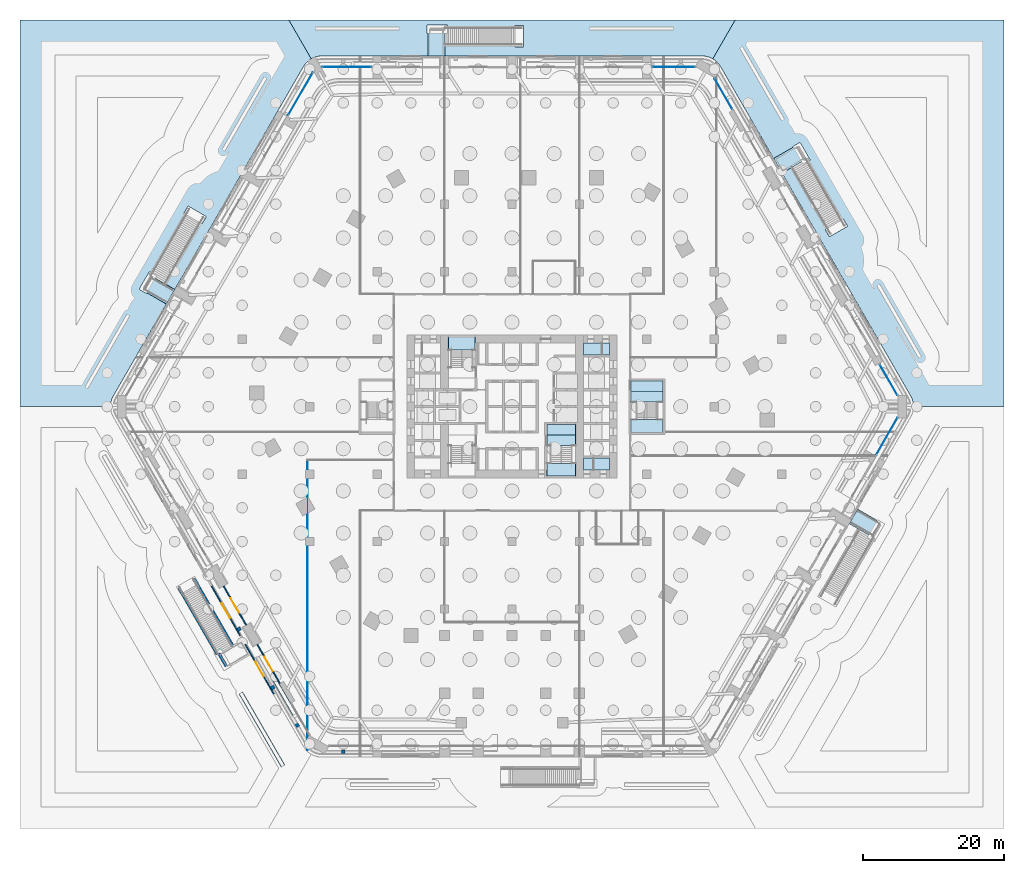
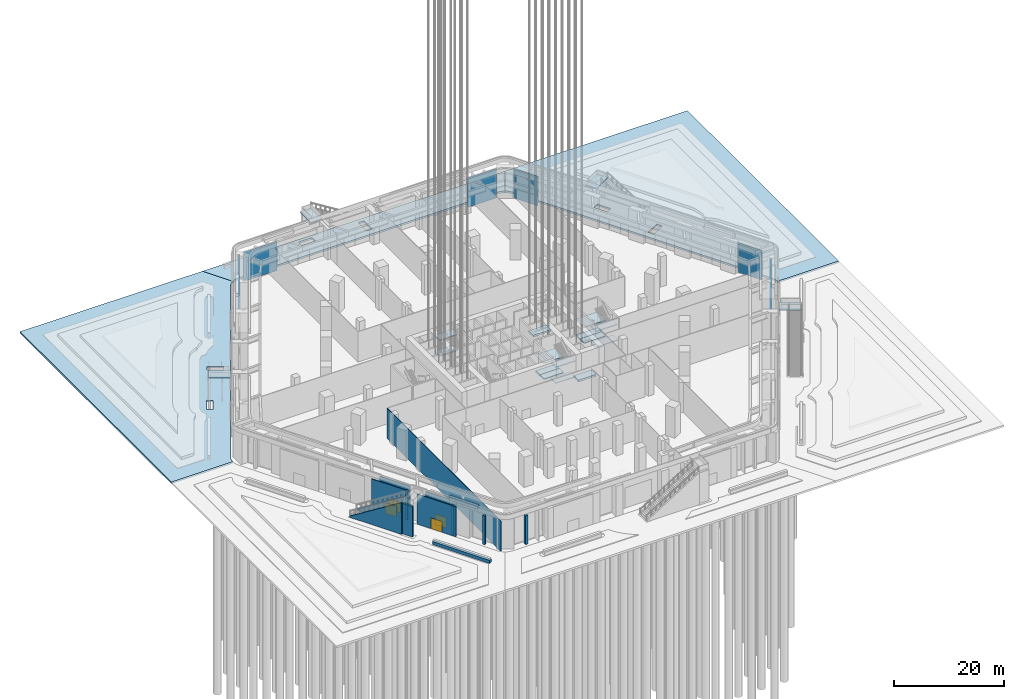
# One storey, part 12 of 68: 21 slabs, 14 walls, 6 plates, 4 doors, 4 openings, 13 elements without a shape of their own.
"""IFC4 building model written with IfcOpenShell, lengths in metres."""

from ifc_helpers import new_model, si_unit, direction, frame, frame_2d, origin, origin_2d, place, context, subcontext, project, spatial, polyline, rectangle, outline, extrude, material, layer, layer_set, type_object, element, fill, aggregate, save


model = new_model("IFC4")

# Units and contexts
model_context = context("Model", 3, precision=1e-05, world=origin(), true_north=direction((0.0, 1.0)))
body_context = subcontext(model_context, "Body", "Model", "MODEL_VIEW")
ifc_project = project(units=[si_unit("LENGTHUNIT", "METRE"), si_unit("AREAUNIT", "SQUARE_METRE"), si_unit("VOLUMEUNIT", "CUBIC_METRE"), si_unit("PLANEANGLEUNIT", "RADIAN"), si_unit("MASSUNIT", "GRAM", prefix="KILO")], contexts=[model_context])

# Site, building, storey
site_placement = place(None, origin())
site = spatial("IfcSite", under=ifc_project, at=site_placement, CompositionType="ELEMENT")
building_placement = place(site_placement, origin())
building = spatial("IfcBuilding", under=site, at=building_placement, Name="Kolab Exchange Tower", CompositionType="ELEMENT")
storey_placement = place(building_placement, origin())
storey = spatial("IfcBuildingStorey", under=building, at=storey_placement, Name="L00", CompositionType="ELEMENT", Elevation=0.0)

# Stair, slab
ifc_material_1 = material(Name="Concrete C40/50", Category="concrete")
stair_type_1 = type_object("IfcStairType", Name="GARDEN STAIR RUN C", PredefinedType="STRAIGHT_RUN_STAIR", material=ifc_material_1)
stair_1_placement = place(storey_placement, origin())
stair_1 = element("IfcStair", 1, at=stair_1_placement, inside=storey, type_object=stair_type_1, Name="Garden stair GS1 run C", PredefinedType="STRAIGHT_RUN_STAIR")
ifc_layer_1 = layer(ifc_material_1, 0.199951171875)
ifc_layer_set_1 = layer_set([ifc_layer_1], Name="Concrete C40/50")
slab_type_1 = type_object("IfcSlabType", Name="GARDEN STAIR LANDING 200", PredefinedType="LANDING", material=ifc_layer_set_1)
slab_1_placement = place(storey_placement, frame((0.0, 0.0, 6.800048828125)))
slab_1 = element("IfcSlab", 2, at=slab_1_placement, type_object=slab_type_1, Name="GS1 landing 1", PredefinedType="LANDING", context=body_context, shape_type="SweptSolid", body=[
    extrude(outline(polyline([(-11.9599609375, 49.883056640625), (-9.554931640625, 49.883056640625), (-9.554931640625, 53.883056640625), (-11.9599609375, 53.883056640625), (-11.9599609375, 49.883056640625)])), origin(), (0.0, 0.0, 1.0), 0.199951171875),
])
aggregate(stair_1, [slab_1])

stair_2_placement = place(storey_placement, origin())
stair_2 = element("IfcStair", 3, at=stair_2_placement, inside=storey, type_object=stair_type_1, Name="Garden stair GS2 run C", PredefinedType="STRAIGHT_RUN_STAIR")
slab_2_placement = place(storey_placement, frame((0.0, 0.0, 6.800048828125)))
slab_2 = element("IfcSlab", 4, at=slab_2_placement, type_object=slab_type_1, Name="GS2 landing 1", PredefinedType="LANDING", context=body_context, shape_type="SweptSolid", body=[
    extrude(outline(polyline([(37.219970703125, 35.29931640625), (38.422607421875, 33.21630859375), (41.88671875, 35.21630859375), (40.68408203125, 37.29931640625), (37.219970703125, 35.29931640625)])), origin(), (0.0, 0.0, 1.0), 0.199951171875),
])
aggregate(stair_2, [slab_2])

stair_3_placement = place(storey_placement, origin())
stair_3 = element("IfcStair", 5, at=stair_3_placement, inside=storey, type_object=stair_type_1, Name="Garden stair GS3 run C", PredefinedType="STRAIGHT_RUN_STAIR")
slab_3_placement = place(storey_placement, frame((0.0, 0.0, 6.800048828125)))
slab_3 = element("IfcSlab", 6, at=slab_3_placement, type_object=slab_type_1, Name="GS3 landing 1", PredefinedType="LANDING", context=body_context, shape_type="SweptSolid", body=[
    extrude(outline(polyline([(49.179931640625, -14.583984375), (47.9775390625, -16.666748046875), (51.441650390625, -18.666748046875), (52.64404296875, -16.583984375), (49.179931640625, -14.583984375)])), origin(), (0.0, 0.0, 1.0), 0.199951171875),
])
aggregate(stair_3, [slab_3])

stair_4_placement = place(storey_placement, origin())
stair_4 = element("IfcStair", 7, at=stair_4_placement, inside=storey, type_object=stair_type_1, Name="Garden stair GS6 run C", PredefinedType="STRAIGHT_RUN_STAIR")
slab_4_placement = place(storey_placement, frame((0.0, 0.0, 6.800048828125)))
slab_4 = element("IfcSlab", 8, at=slab_4_placement, type_object=slab_type_1, Name="GS6 landing 1", PredefinedType="LANDING", context=body_context, shape_type="SweptSolid", body=[
    extrude(outline(polyline([(-49.179931640625, 14.583984375), (-47.9775390625, 16.666748046875), (-51.441650390625, 18.666748046875), (-52.64404296875, 16.583984375), (-49.179931640625, 14.583984375)])), origin(), (0.0, 0.0, 1.0), 0.199951171875),
])
aggregate(stair_4, [slab_4])

# Slabs
ifc_material_2 = material(Name="Concrete C35/45", Category="concrete")
ifc_layer_2 = layer(ifc_material_2, 0.39990234375)
ifc_layer_set_2 = layer_set([ifc_layer_2], Name="Concrete C35/45")
slab_type_2 = type_object("IfcSlabType", Name="GROUND SLAB 400", PredefinedType="BASESLAB", material=ifc_layer_set_2)
slab_5_placement = place(storey_placement, frame((0.0, 0.0, -0.39990234375)))
element("IfcSlab", 9, at=slab_5_placement, inside=storey, type_object=slab_type_2, Name="slab/L00/floor/9", PredefinedType="BASESLAB", context=body_context, shape_type="SweptSolid", body=[
    extrude(outline(polyline([(21.449951171875, 3.64990234375), (16.949951171875, 3.64990234375), (16.949951171875, 2.14990234375), (21.449951171875, 2.14990234375), (21.449951171875, 3.64990234375)])), origin(), (0.0, 0.0, 1.0), 0.39990234375),
])
slab_6_placement = place(storey_placement, frame((0.0, 0.0, -0.39990234375)))
element("IfcSlab", 10, at=slab_6_placement, inside=storey, type_object=slab_type_2, Name="slab/L00/floor/12", PredefinedType="BASESLAB", context=body_context, shape_type="SweptSolid", body=[
    extrude(outline(polyline([(10.14990234375, -7.35009765625), (10.14990234375, -9.050048828125), (13.85009765625, -9.050048828125), (13.85009765625, -7.35009765625), (10.14990234375, -7.35009765625)])), origin(), (0.0, 0.0, 1.0), 0.39990234375),
])
slab_7_placement = place(storey_placement, frame((0.0, 0.0, -0.39990234375)))
element("IfcSlab", 11, at=slab_7_placement, inside=storey, type_object=slab_type_2, Name="slab/L00/floor/13", PredefinedType="BASESLAB", context=body_context, shape_type="SweptSolid", body=[
    extrude(outline(polyline([(10.14990234375, 7.35009765625), (13.85009765625, 7.35009765625), (13.85009765625, 9.050048828125), (10.14990234375, 9.050048828125), (10.14990234375, 7.35009765625)])), origin(), (0.0, 0.0, 1.0), 0.39990234375),
])
slab_8_placement = place(storey_placement, frame((0.0, 0.0, -0.39990234375)))
element("IfcSlab", 12, at=slab_8_placement, inside=storey, type_object=slab_type_2, Name="slab/L00/floor/14", PredefinedType="BASESLAB", context=body_context, shape_type="SweptSolid", body=[
    extrude(outline(polyline([(9.050048828125, -2.550048828125), (6.14990234375, -2.550048828125), (5.85009765625, -2.550048828125), (4.949951171875, -2.550048828125), (4.949951171875, -4.050048828125), (9.050048828125, -4.050048828125), (9.050048828125, -2.550048828125)])), origin(), (0.0, 0.0, 1.0), 0.39990234375),
])
ifc_material_3 = material(Name="Concrete C30/37", Category="concrete")
ifc_layer_3 = layer(ifc_material_3, 0.39990234375)
ifc_layer_set_3 = layer_set([ifc_layer_3], Name="Concrete C30/37")
slab_type_3 = type_object("IfcSlabType", Name="PAVING SLAB 400", PredefinedType="USERDEFINED", material=ifc_layer_set_3)
slab_9_placement = place(storey_placement, frame((0.0, 0.0, -0.39990234375)))
element("IfcSlab", 13, at=slab_9_placement, inside=storey, type_object=slab_type_3, Name="slab/L00/paving/0", ObjectType="PAVING", PredefinedType="USERDEFINED", context=body_context, shape_type="SweptSolid", body=[
    extrude(outline(polyline([(70.0, 55.0), (31.754150390625, 55.0), (28.56787109375, 49.481201171875), (28.996337890625, 49.18115234375), (29.365966796875, 48.8115234375), (29.666015625, 48.383056640625), (56.73388671875, 1.5), (56.955078125, 1.026123046875), (57.09033203125, 0.52099609375), (57.135986328125, 0.0), (70.0, 0.0), (70.0, 55.0)]), holes=[polyline([(47.75390625, 25.65380859375), (45.15576171875, 24.15380859375), (44.555908203125, 25.193115234375), (47.15380859375, 26.693115234375), (47.75390625, 25.65380859375)]), polyline([(40.98046875, 37.585693359375), (42.430419921875, 35.07421875), (41.391357421875, 34.474365234375), (39.941162109375, 36.98583984375), (40.98046875, 37.585693359375)])]), origin(), (0.0, 0.0, 1.0), 0.39990234375),
])
slab_10_placement = place(storey_placement, frame((0.0, 0.0, -0.39990234375)))
element("IfcSlab", 14, at=slab_10_placement, inside=storey, type_object=slab_type_3, Name="slab/L00/paving/1", ObjectType="PAVING", PredefinedType="USERDEFINED", context=body_context, shape_type="SweptSolid", body=[
    extrude(outline(polyline([(31.754150390625, 55.0), (-31.754150390625, 55.0), (-28.56787109375, 49.481201171875), (-28.093994140625, 49.7021484375), (-27.5888671875, 49.83740234375), (-27.06787109375, 49.883056640625), (27.06787109375, 49.883056640625), (27.5888671875, 49.83740234375), (28.093994140625, 49.7021484375), (28.56787109375, 49.481201171875), (31.754150390625, 55.0)]), holes=[polyline([(-12.06005859375, 54.282958984375), (-9.159912109375, 54.282958984375), (-9.159912109375, 53.0830078125), (-12.06005859375, 53.0830078125), (-12.06005859375, 54.282958984375)]), polyline([(1.659912109375, 51.18310546875), (0.4599609375, 51.18310546875), (0.4599609375, 54.18310546875), (1.659912109375, 54.18310546875), (1.659912109375, 51.18310546875)])]), origin(), (0.0, 0.0, 1.0), 0.39990234375),
])
slab_11_placement = place(storey_placement, frame((0.0, 0.0, -0.39990234375)))
element("IfcSlab", 15, at=slab_11_placement, inside=storey, type_object=slab_type_3, Name="slab/L00/paving/2", ObjectType="PAVING", PredefinedType="USERDEFINED", context=body_context, shape_type="SweptSolid", body=[
    extrude(outline(polyline([(-70.0, 55.0), (-70.0, 0.0), (-57.135986328125, 0.0), (-57.09033203125, 0.52099609375), (-56.955078125, 1.026123046875), (-56.73388671875, 1.5), (-29.666015625, 48.383056640625), (-29.365966796875, 48.8115234375), (-28.996337890625, 49.18115234375), (-28.56787109375, 49.481201171875), (-31.754150390625, 55.0), (-70.0, 55.0)]), holes=[polyline([(-52.001220703125, 16.09716796875), (-53.04052734375, 16.697265625), (-51.590576171875, 19.208740234375), (-50.55126953125, 18.608642578125), (-52.001220703125, 16.09716796875)]), polyline([(-43.495849609375, 27.029052734375), (-44.095947265625, 25.989990234375), (-46.69384765625, 27.489990234375), (-46.093994140625, 28.529052734375), (-43.495849609375, 27.029052734375)])]), origin(), (0.0, 0.0, 1.0), 0.39990234375),
])

# Curtain wall, plate
ifc_material_4 = material(Name="Aluminium EN AW-6063 T6", Category="aluminium")
curtain_wall_type = type_object("IfcCurtainWallType", Name="PODIUM STRUCTURAL GLAZING CURTAIN WALL", PredefinedType="NOTDEFINED", material=ifc_material_4)
curtain_wall_1_placement = place(storey_placement, origin())
curtain_wall_1 = element("IfcCurtainWall", 16, at=curtain_wall_1_placement, inside=storey, type_object=curtain_wall_type, Name="cw/L00/F1-1", PredefinedType="NOTDEFINED")
ifc_material_5 = material(Name="Clear insulated glazing unit", Category="glass")
ifc_layer_4 = layer(ifc_material_5, 0.035888671875)
ifc_layer_set_4 = layer_set([ifc_layer_4], Name="Clear insulated glazing unit")
plate_type = type_object("IfcPlateType", Name="PODIUM STRUCTURAL GLAZING GLASS PANEL 36", PredefinedType="CURTAIN_PANEL", material=ifc_layer_set_4)
plate_1_placement = place(storey_placement, frame((-23.489013671875, 48.302978515625, 0.080078125), z_axis=(0.0, 0.0, 1.0), x_axis=(1.0, 0.0, 0.0)))
plate_1 = element("IfcPlate", 17, at=plate_1_placement, type_object=plate_type, Name="CW5 panel 1.1", PredefinedType="CURTAIN_PANEL", context=body_context, shape_type="SweptSolid", body=[
    extrude(rectangle(XDim=6.998046875, YDim=0.035888671875, at=origin_2d()), origin(), (0.0, 0.0, 1.0), 6.5400390625),
])
aggregate(curtain_wall_1, [plate_1])

curtain_wall_2_placement = place(storey_placement, origin())
curtain_wall_2 = element("IfcCurtainWall", 18, at=curtain_wall_2_placement, inside=storey, type_object=curtain_wall_type, Name="cw/L00/F1-2", PredefinedType="NOTDEFINED")
plate_2_placement = place(storey_placement, frame((23.004150390625, 48.302978515625, 0.080078125), z_axis=(0.0, 0.0, 1.0), x_axis=(1.0, 0.0, 0.0)))
plate_2 = element("IfcPlate", 19, at=plate_2_placement, type_object=plate_type, Name="CW5 panel 1.1", PredefinedType="CURTAIN_PANEL", context=body_context, shape_type="SweptSolid", body=[
    extrude(rectangle(XDim=6.0283203125, YDim=0.035888671875, at=origin_2d()), origin(), (0.0, 0.0, 1.0), 6.5400390625),
])
aggregate(curtain_wall_2, [plate_2])

curtain_wall_3_placement = place(storey_placement, origin())
curtain_wall_3 = element("IfcCurtainWall", 20, at=curtain_wall_3_placement, inside=storey, type_object=curtain_wall_type, Name="cw/L00/F2-1", PredefinedType="NOTDEFINED")
plate_3_placement = place(storey_placement, frame((30.07958984375, 44.5068359375, 0.080078125), z_axis=(0.0, 0.0, 1.0), x_axis=(0.499999948413, -0.866025433568, 0.0)))
plate_3 = element("IfcPlate", 21, at=plate_3_placement, type_object=plate_type, Name="CW5 panel 1.1", PredefinedType="CURTAIN_PANEL", context=body_context, shape_type="SweptSolid", body=[
    extrude(rectangle(XDim=5.0283203125, YDim=0.035888671875, at=origin_2d()), origin(), (0.0, 0.0, 1.0), 6.5400390625),
])
aggregate(curtain_wall_3, [plate_3])

curtain_wall_4_placement = place(storey_placement, origin())
curtain_wall_4 = element("IfcCurtainWall", 22, at=curtain_wall_4_placement, inside=storey, type_object=curtain_wall_type, Name="cw/L00/F2-2", PredefinedType="NOTDEFINED")
plate_4_placement = place(storey_placement, frame((53.583740234375, 3.79638671875, 0.080078125), z_axis=(0.0, 0.0, 1.0), x_axis=(0.499999948413, -0.866025433568, 0.0)))
plate_4 = element("IfcPlate", 23, at=plate_4_placement, type_object=plate_type, Name="CW5 panel 1.1", PredefinedType="CURTAIN_PANEL", context=body_context, shape_type="SweptSolid", body=[
    extrude(rectangle(XDim=5.0283203125, YDim=0.035888671875, at=origin_2d()), origin(), (0.0, 0.0, 1.0), 6.5400390625),
])
aggregate(curtain_wall_4, [plate_4])

curtain_wall_5_placement = place(storey_placement, origin())
curtain_wall_5 = element("IfcCurtainWall", 24, at=curtain_wall_5_placement, inside=storey, type_object=curtain_wall_type, Name="cw/L00/F3-1", PredefinedType="NOTDEFINED")
plate_5_placement = place(storey_placement, frame((53.333740234375, -4.229248046875, 0.080078125), z_axis=(0.0, 0.0, 1.0), x_axis=(-0.499999915039, -0.866025452837, 0.0)))
plate_5 = element("IfcPlate", 25, at=plate_5_placement, type_object=plate_type, Name="CW5 panel 1.1", PredefinedType="CURTAIN_PANEL", context=body_context, shape_type="SweptSolid", body=[
    extrude(rectangle(XDim=6.0283203125, YDim=0.035888671875, at=origin_2d()), origin(), (0.0, 0.0, 1.0), 6.5400390625),
])
aggregate(curtain_wall_5, [plate_5])

curtain_wall_6_placement = place(storey_placement, origin())
curtain_wall_6 = element("IfcCurtainWall", 26, at=curtain_wall_6_placement, inside=storey, type_object=curtain_wall_type, Name="cw/L00/F6-2", PredefinedType="NOTDEFINED")
plate_6_placement = place(storey_placement, frame((-30.087158203125, 44.49365234375, 0.080078125), z_axis=(0.0, 0.0, 1.0), x_axis=(0.500000032603, 0.866025384961, 0.0)))
plate_6 = element("IfcPlate", 27, at=plate_6_placement, type_object=plate_type, Name="CW5 panel 1.1", PredefinedType="CURTAIN_PANEL", context=body_context, shape_type="SweptSolid", body=[
    extrude(rectangle(XDim=6.998046875, YDim=0.035888671875, at=origin_2d()), origin(), (0.0, 0.0, 1.0), 6.5400390625),
])
aggregate(curtain_wall_6, [plate_6])

# Stair, slabs
ifc_material_6 = material(Name="Concrete C50/60", Category="concrete")
stair_type_2 = type_object("IfcStairType", Name="STAIR ST1 RISER 175", PredefinedType="DOUBLE_RETURN_STAIR", material=ifc_material_6)
stair_5_placement = place(storey_placement, origin())
stair_5 = element("IfcStair", 28, at=stair_5_placement, inside=storey, type_object=stair_type_2, Name="Stair 1", PredefinedType="DOUBLE_RETURN_STAIR")
ifc_layer_5 = layer(ifc_material_6, 0.199951171875)
ifc_layer_set_5 = layer_set([ifc_layer_5], Name="Concrete C50/60")
slab_type_4 = type_object("IfcSlabType", Name="STAIR LANDING 200", PredefinedType="LANDING", material=ifc_layer_set_5)
slab_12_placement = place(storey_placement, frame((0.0, 0.0, 1.550048828125)))
slab_12 = element("IfcSlab", 29, at=slab_12_placement, type_object=slab_type_4, Name="ST1 landing 2", PredefinedType="LANDING", context=body_context, shape_type="SweptSolid", body=[
    extrude(outline(polyline([(-9.110107421875, 8.070068359375), (-5.18994140625, 8.070068359375), (-5.18994140625, 9.909912109375), (-9.110107421875, 9.909912109375), (-9.110107421875, 8.070068359375)])), origin(), (0.0, 0.0, 1.0), 0.199951171875),
])
slab_13_placement = place(storey_placement, frame((0.0, 0.0, 5.050048828125)))
slab_13 = element("IfcSlab", 30, at=slab_13_placement, type_object=slab_type_4, Name="ST1 landing 4", PredefinedType="LANDING", context=body_context, shape_type="SweptSolid", body=[
    extrude(outline(polyline([(-9.050048828125, 8.070068359375), (-5.25, 8.070068359375), (-5.25, 9.909912109375), (-9.050048828125, 9.909912109375), (-9.050048828125, 8.070068359375)])), origin(), (0.0, 0.0, 1.0), 0.199951171875),
])
aggregate(stair_5, [slab_12, slab_13])

stair_type_3 = type_object("IfcStairType", Name="STAIR ST2 RISER 175", PredefinedType="DOUBLE_RETURN_STAIR", material=ifc_material_6)
stair_6_placement = place(storey_placement, origin())
stair_6 = element("IfcStair", 31, at=stair_6_placement, inside=storey, type_object=stair_type_3, Name="Stair 2", PredefinedType="DOUBLE_RETURN_STAIR")
slab_14_placement = place(storey_placement, frame((0.0, 0.0, -0.199951171875)))
slab_14 = element("IfcSlab", 32, at=slab_14_placement, type_object=slab_type_4, Name="ST2 landing 1", PredefinedType="LANDING", context=body_context, shape_type="SweptSolid", body=[
    extrude(outline(polyline([(4.949951171875, -5.550048828125), (9.050048828125, -5.550048828125), (9.050048828125, -4.050048828125), (4.949951171875, -4.050048828125), (4.949951171875, -5.550048828125)])), origin(), (0.0, 0.0, 1.0), 0.199951171875),
])
slab_15_placement = place(storey_placement, frame((0.0, 0.0, 1.550048828125)))
slab_15 = element("IfcSlab", 33, at=slab_15_placement, type_object=slab_type_4, Name="ST2 landing 2", PredefinedType="LANDING", context=body_context, shape_type="SweptSolid", body=[
    extrude(outline(polyline([(4.889892578125, -9.909912109375), (9.110107421875, -9.909912109375), (9.110107421875, -8.070068359375), (4.889892578125, -8.070068359375), (4.889892578125, -9.909912109375)])), origin(), (0.0, 0.0, 1.0), 0.199951171875),
])
slab_16_placement = place(storey_placement, frame((0.0, 0.0, 3.300048828125)))
slab_16 = element("IfcSlab", 34, at=slab_16_placement, type_object=slab_type_4, Name="ST2 landing 3", PredefinedType="LANDING", context=body_context, shape_type="SweptSolid", body=[
    extrude(outline(polyline([(4.889892578125, -5.550048828125), (9.110107421875, -5.550048828125), (9.110107421875, -2.489990234375), (4.889892578125, -2.489990234375), (4.889892578125, -5.550048828125)])), origin(), (0.0, 0.0, 1.0), 0.199951171875),
])
slab_17_placement = place(storey_placement, frame((0.0, 0.0, 5.050048828125)))
slab_17 = element("IfcSlab", 35, at=slab_17_placement, type_object=slab_type_4, Name="ST2 landing 4", PredefinedType="LANDING", context=body_context, shape_type="SweptSolid", body=[
    extrude(outline(polyline([(4.949951171875, -9.909912109375), (9.050048828125, -9.909912109375), (9.050048828125, -8.070068359375), (4.949951171875, -8.070068359375), (4.949951171875, -9.909912109375)])), origin(), (0.0, 0.0, 1.0), 0.199951171875),
])
aggregate(stair_6, [slab_14, slab_15, slab_16, slab_17])

stair_type_4 = type_object("IfcStairType", Name="STAIR ST4 RISER 175", PredefinedType="DOUBLE_RETURN_STAIR", material=ifc_material_6)
stair_7_placement = place(storey_placement, origin())
stair_7 = element("IfcStair", 36, at=stair_7_placement, inside=storey, type_object=stair_type_4, Name="Stair 4", PredefinedType="DOUBLE_RETURN_STAIR")
slab_18_placement = place(storey_placement, frame((0.0, 0.0, -0.199951171875)))
slab_18 = element("IfcSlab", 37, at=slab_18_placement, type_object=slab_type_4, Name="ST4 landing 1", PredefinedType="LANDING", context=body_context, shape_type="SweptSolid", body=[
    extrude(outline(polyline([(16.949951171875, 0.64990234375), (21.449951171875, 0.64990234375), (21.449951171875, 2.14990234375), (16.949951171875, 2.14990234375), (16.949951171875, 0.64990234375)])), origin(), (0.0, 0.0, 1.0), 0.199951171875),
])
slab_19_placement = place(storey_placement, frame((0.0, 0.0, 1.550048828125)))
slab_19 = element("IfcSlab", 38, at=slab_19_placement, type_object=slab_type_4, Name="ST4 landing 2", PredefinedType="LANDING", context=body_context, shape_type="SweptSolid", body=[
    extrude(outline(polyline([(16.889892578125, -3.7099609375), (21.510009765625, -3.7099609375), (21.510009765625, -1.8701171875), (16.889892578125, -1.8701171875), (16.889892578125, -3.7099609375)])), origin(), (0.0, 0.0, 1.0), 0.199951171875),
])
slab_20_placement = place(storey_placement, frame((0.0, 0.0, 3.300048828125)))
slab_20 = element("IfcSlab", 39, at=slab_20_placement, type_object=slab_type_4, Name="ST4 landing 3", PredefinedType="LANDING", context=body_context, shape_type="SweptSolid", body=[
    extrude(outline(polyline([(16.889892578125, 0.64990234375), (21.510009765625, 0.64990234375), (21.510009765625, 3.7099609375), (16.889892578125, 3.7099609375), (16.889892578125, 0.64990234375)])), origin(), (0.0, 0.0, 1.0), 0.199951171875),
])
slab_21_placement = place(storey_placement, frame((0.0, 0.0, 5.050048828125)))
slab_21 = element("IfcSlab", 40, at=slab_21_placement, type_object=slab_type_4, Name="ST4 landing 4", PredefinedType="LANDING", context=body_context, shape_type="SweptSolid", body=[
    extrude(outline(polyline([(16.949951171875, -3.7099609375), (21.449951171875, -3.7099609375), (21.449951171875, -1.8701171875), (16.949951171875, -1.8701171875), (16.949951171875, -3.7099609375)])), origin(), (0.0, 0.0, 1.0), 0.199951171875),
])
aggregate(stair_7, [slab_18, slab_19, slab_20, slab_21])

# Wall, opening, door
ifc_layer_6 = layer(ifc_material_4, 0.159912109375)
ifc_layer_set_6 = layer_set([ifc_layer_6], Name="Aluminium EN AW-6063 T6")
wall_type_1 = type_object("IfcWallType", Name="DOOR SURROUND WALL 160 ALUMINIUM FRAMED", PredefinedType="PARTITIONING", material=ifc_layer_set_6)
wall_1_placement = place(storey_placement, frame((-33.03271484375, -39.391845703125, 0.0), z_axis=(0.0, 0.0, 1.0), x_axis=(-0.500002207027, 0.866024129553, 0.0)))
wall_1 = element("IfcWall", 41, at=wall_1_placement, inside=storey, type_object=wall_type_1, Name="Door surround wall", PredefinedType="PARTITIONING", context=body_context, shape_type="SweptSolid", body=[
    extrude(rectangle(XDim=6.39599609375, YDim=0.159912109375, at=frame_2d((3.197998046875, 0.0))), origin(), (0.0, 0.0, 1.0), 6.699951171875),
])
opening_1_placement = place(wall_1_placement, frame((1.998046875, 0.0, 0.0)))
opening_1 = element("IfcOpeningElement", 42, at=opening_1_placement, cuts=wall_1, Name="Opening ED1-018", PredefinedType="OPENING", context=body_context, shape_type="SweptSolid", body=[
    extrude(rectangle(XDim=2.39990234375, YDim=2.39990234375, at=frame_2d((1.199951171875, 1.199951171875))), frame((0.0, 0.08984375, 0.0), z_axis=(0.0, -1.0, 0.0), x_axis=(1.0, 0.0, 0.0)), (0.0, 0.0, 1.0), 0.179931640625),
])
door_type = type_object("IfcDoorType", Name="ENTRANCE DOUBLE DOOR 2400 X 2400", OperationType="DOUBLE_DOOR_DOUBLE_SWING", PredefinedType="DOOR", material=ifc_material_4)
door_1_placement = place(opening_1_placement, origin())
door_1 = element("IfcDoor", 43, at=door_1_placement, inside=storey, type_object=door_type, Name="Entrance door", OperationType="DOUBLE_DOOR_DOUBLE_SWING", OverallHeight=2.39990234375, OverallWidth=2.39990234375, PredefinedType="DOOR", context=body_context, shape_type="SweptSolid", body=[
    extrude(rectangle(XDim=2.39990234375, YDim=2.39990234375, at=frame_2d((1.199951171875, 1.199951171875))), frame((0.0, 0.02490234375, 0.0), z_axis=(0.0, -1.0, 0.0), x_axis=(1.0, 0.0, 0.0)), (0.0, 0.0, 1.0), 0.050048828125),
])
fill(opening_1, door_1)

wall_2_placement = place(storey_placement, frame((-37.832763671875, -31.078125, 0.0), z_axis=(0.0, 0.0, 1.0), x_axis=(-0.499985678896, 0.86603367192, 0.0)))
wall_2 = element("IfcWall", 44, at=wall_2_placement, inside=storey, type_object=wall_type_1, Name="Door surround wall", PredefinedType="PARTITIONING", context=body_context, shape_type="SweptSolid", body=[
    extrude(rectangle(XDim=6.396240234375, YDim=0.159912109375, at=frame_2d((3.1982421875, 0.0))), origin(), (0.0, 0.0, 1.0), 6.699951171875),
])
opening_2_placement = place(wall_2_placement, frame((1.998046875, 0.0, 0.0)))
opening_2 = element("IfcOpeningElement", 45, at=opening_2_placement, cuts=wall_2, Name="Opening ED1-015", PredefinedType="OPENING", context=body_context, shape_type="SweptSolid", body=[
    extrude(rectangle(XDim=2.39990234375, YDim=2.39990234375, at=frame_2d((1.199951171875, 1.199951171875))), frame((0.0, 0.08984375, 0.0), z_axis=(0.0, -1.0, 0.0), x_axis=(1.0, 0.0, 0.0)), (0.0, 0.0, 1.0), 0.179931640625),
])
door_2_placement = place(opening_2_placement, origin())
door_2 = element("IfcDoor", 46, at=door_2_placement, inside=storey, type_object=door_type, Name="Entrance door", OperationType="DOUBLE_DOOR_DOUBLE_SWING", OverallHeight=2.39990234375, OverallWidth=2.39990234375, PredefinedType="DOOR", context=body_context, shape_type="SweptSolid", body=[
    extrude(rectangle(XDim=2.39990234375, YDim=2.39990234375, at=frame_2d((1.199951171875, 1.199951171875))), frame((0.0, 0.02490234375, 0.0), z_axis=(0.0, -1.0, 0.0), x_axis=(1.0, 0.0, 0.0)), (0.0, 0.0, 1.0), 0.050048828125),
])
fill(opening_2, door_2)

wall_3_placement = place(storey_placement, frame((-33.889404296875, -40.867919921875, 0.0), z_axis=(0.0, 0.0, 1.0), x_axis=(-0.500014813316, 0.866016851144, 0.0)))
wall_3 = element("IfcWall", 47, at=wall_3_placement, inside=storey, type_object=wall_type_1, Name="Door surround wall", PredefinedType="PARTITIONING", context=body_context, shape_type="SweptSolid", body=[
    extrude(rectangle(XDim=8.095947265625, YDim=0.159912109375, at=frame_2d((4.0478515625, 0.0))), origin(), (0.0, 0.0, 1.0), 6.699951171875),
])
opening_3_placement = place(wall_3_placement, frame((2.847900390625, 0.0, 0.0)))
opening_3 = element("IfcOpeningElement", 48, at=opening_3_placement, cuts=wall_3, Name="Opening ED1-037", PredefinedType="OPENING", context=body_context, shape_type="SweptSolid", body=[
    extrude(rectangle(XDim=2.39990234375, YDim=2.39990234375, at=frame_2d((1.199951171875, 1.199951171875))), frame((0.0, 0.08984375, 0.0), z_axis=(0.0, -1.0, 0.0), x_axis=(1.0, 0.0, 0.0)), (0.0, 0.0, 1.0), 0.179931640625),
])
door_3_placement = place(opening_3_placement, origin())
door_3 = element("IfcDoor", 49, at=door_3_placement, inside=storey, type_object=door_type, Name="Entrance door", OperationType="DOUBLE_DOOR_DOUBLE_SWING", OverallHeight=2.39990234375, OverallWidth=2.39990234375, PredefinedType="DOOR", context=body_context, shape_type="SweptSolid", body=[
    extrude(rectangle(XDim=2.39990234375, YDim=2.39990234375, at=frame_2d((1.199951171875, 1.199951171875))), frame((0.0, 0.02490234375, 0.0), z_axis=(0.0, -1.0, 0.0), x_axis=(1.0, 0.0, 0.0)), (0.0, 0.0, 1.0), 0.050048828125),
])
fill(opening_3, door_3)

wall_4_placement = place(storey_placement, frame((-38.689453125, -32.55419921875, 0.0), z_axis=(0.0, 0.0, 1.0), x_axis=(-0.499979138673, 0.866037447742, 0.0)))
wall_4 = element("IfcWall", 50, at=wall_4_placement, inside=storey, type_object=wall_type_1, Name="Door surround wall", PredefinedType="PARTITIONING", context=body_context, shape_type="SweptSolid", body=[
    extrude(rectangle(XDim=8.095947265625, YDim=0.159912109375, at=frame_2d((4.0478515625, 0.0))), origin(), (0.0, 0.0, 1.0), 6.699951171875),
])
opening_4_placement = place(wall_4_placement, frame((2.847900390625, 0.0, 0.0)))
opening_4 = element("IfcOpeningElement", 51, at=opening_4_placement, cuts=wall_4, Name="Opening ED1-038", PredefinedType="OPENING", context=body_context, shape_type="SweptSolid", body=[
    extrude(rectangle(XDim=2.39990234375, YDim=2.39990234375, at=frame_2d((1.199951171875, 1.199951171875))), frame((0.0, 0.08984375, 0.0), z_axis=(0.0, -1.0, 0.0), x_axis=(1.0, 0.0, 0.0)), (0.0, 0.0, 1.0), 0.179931640625),
])
door_4_placement = place(opening_4_placement, origin())
door_4 = element("IfcDoor", 52, at=door_4_placement, inside=storey, type_object=door_type, Name="Entrance door", OperationType="DOUBLE_DOOR_DOUBLE_SWING", OverallHeight=2.39990234375, OverallWidth=2.39990234375, PredefinedType="DOOR", context=body_context, shape_type="SweptSolid", body=[
    extrude(rectangle(XDim=2.39990234375, YDim=2.39990234375, at=frame_2d((1.199951171875, 1.199951171875))), frame((0.0, 0.02490234375, 0.0), z_axis=(0.0, -1.0, 0.0), x_axis=(1.0, 0.0, 0.0)), (0.0, 0.0, 1.0), 0.050048828125),
])
fill(opening_4, door_4)

# Walls
ifc_material_7 = material(Name="Gypsum board", Category="gypsum")
ifc_layer_7 = layer(ifc_material_7, 0.10009765625)
ifc_layer_set_7 = layer_set([ifc_layer_7], Name="Gypsum board")
wall_type_2 = type_object("IfcWallType", Name="PARTITION 100", PredefinedType="PARTITIONING", material=ifc_layer_set_7)
wall_5_placement = place(storey_placement, frame((-29.096923828125, -48.910888671875, 0.0), z_axis=(0.0, 0.0, 1.0), x_axis=(0.0, 1.0, 0.0)))
element("IfcWall", 53, at=wall_5_placement, inside=storey, type_object=wall_type_2, Name="Partition 024", PredefinedType="PARTITIONING", context=body_context, shape_type="SweptSolid", body=[
    extrude(rectangle(XDim=41.310791015625, YDim=0.10009765625, at=frame_2d((20.6552734375, 0.0))), origin(), (0.0, 0.0, 1.0), 6.699951171875),
])
ifc_material_8 = material(Name="Granite facing", Category="masonry")
ifc_layer_8 = layer(ifc_material_8, 0.0400390625)
ifc_material_9 = material(Name="Concrete C40/50 precast", Category="concrete")
ifc_layer_9 = layer(ifc_material_9, 0.56005859375)
ifc_layer_set_8 = layer_set([ifc_layer_8, ifc_layer_9], Name="Concrete C40/50 precast")
wall_type_3 = type_object("IfcWallType", Name="PLANTER BOX 600 X 700 SOIL DEPTH 550", PredefinedType="USERDEFINED", material=ifc_layer_set_8)
wall_6_placement = place(storey_placement, frame((-30.915771484375, -43.8173828125, 7.0), z_axis=(0.0, 0.0, 1.0), x_axis=(-0.499990139034, 0.866031096941, 0.0)))
element("IfcWall", 54, at=wall_6_placement, inside=storey, type_object=wall_type_3, Name="Planter", ObjectType="PLANTER", PredefinedType="USERDEFINED", context=body_context, shape_type="SweptSolid", body=[
    extrude(rectangle(XDim=6.0, YDim=0.60009765625, at=frame_2d((3.0, 0.0))), origin(), (0.0, 0.0, 1.0), 0.699951171875),
])
wall_7_placement = place(storey_placement, frame((-32.577392578125, -51.14013671875, 0.0), z_axis=(0.0, 0.0, 1.0), x_axis=(-0.500007758305, 0.866020924479, 0.0)))
element("IfcWall", 55, at=wall_7_placement, inside=storey, type_object=wall_type_3, Name="Planter", ObjectType="PLANTER", PredefinedType="USERDEFINED", context=body_context, shape_type="SweptSolid", body=[
    extrude(rectangle(XDim=11.999755859375, YDim=0.60009765625, at=frame_2d((6.0, 0.0))), origin(), (0.0, 0.0, 1.0), 0.699951171875),
])
ifc_layer_10 = layer(ifc_material_8, 0.0400390625)
ifc_layer_11 = layer(ifc_material_1, 0.2099609375)
ifc_layer_set_9 = layer_set([ifc_layer_10, ifc_layer_11], Name="Concrete C40/50")
wall_type_4 = type_object("IfcWallType", Name="STAIR CHEEK WALL 250", PredefinedType="SOLIDWALL", material=ifc_layer_set_9)
wall_8_placement = place(storey_placement, frame((-45.157470703125, -24.501220703125, 0.0), z_axis=(0.0, 0.0, 1.0), x_axis=(0.500012742938, -0.866018046521, 0.0)))
element("IfcWall", 56, at=wall_8_placement, inside=storey, type_object=wall_type_4, Name="Stair cheek wall", PredefinedType="SOLIDWALL", context=body_context, shape_type="SweptSolid", body=[
    extrude(outline(polyline([(0.0, 0.0), (10.920166015625, 0.0), (10.919921875, 7.10009765625), (0.0, 0.27490234375), (0.0, 0.0)])), frame((0.0, 0.125, 0.0), z_axis=(0.0, -1.0, 0.0), x_axis=(1.0, 0.0, 0.0)), (0.0, 0.0, 1.0), 0.25),
])
wall_9_placement = place(storey_placement, frame((-47.452392578125, -25.826171875, 0.0), z_axis=(0.0, 0.0, 1.0), x_axis=(0.499995975244, -0.866027727466, 0.0)))
element("IfcWall", 57, at=wall_9_placement, inside=storey, type_object=wall_type_4, Name="Stair cheek wall", PredefinedType="SOLIDWALL", context=body_context, shape_type="SweptSolid", body=[
    extrude(outline(polyline([(0.0, 0.0), (10.919921875, 0.0), (10.919921875, 7.10009765625), (0.0, 0.27490234375), (0.0, 0.0)])), frame((0.0, 0.125, 0.0), z_axis=(0.0, -1.0, 0.0), x_axis=(1.0, 0.0, 0.0)), (0.0, 0.0, 1.0), 0.25),
])
ifc_layer_12 = layer(ifc_material_1, 0.39990234375)
ifc_layer_set_10 = layer_set([ifc_layer_12], Name="Concrete C40/50")
wall_type_5 = type_object("IfcWallType", Name="STAIR LANDING SUPPORT PIER 2100 X 400", PredefinedType="SOLIDWALL", material=ifc_layer_set_10)
wall_10_placement = place(storey_placement, frame((-40.660888671875, -36.939453125, 0.0), z_axis=(0.0, 0.0, 1.0), x_axis=(-0.500027713859, 0.866009402589, 0.0)))
element("IfcWall", 58, at=wall_10_placement, inside=storey, type_object=wall_type_5, Name="Stair landing support pier", PredefinedType="SOLIDWALL", context=body_context, shape_type="SweptSolid", body=[
    extrude(rectangle(XDim=2.10009765625, YDim=0.39990234375, at=frame_2d((1.050048828125, 0.0))), origin(), (0.0, 0.0, 1.0), 6.800048828125),
])
ifc_layer_13 = layer(ifc_material_8, 0.5)
ifc_layer_set_11 = layer_set([ifc_layer_13], Name="Granite facing")
wall_type_6 = type_object("IfcWallType", Name="STONE FACADE FIN 500 X 500", PredefinedType="SOLIDWALL", material=ifc_layer_set_11)
for number, where, z_axis, x_axis, name in (
    (59, (-23.75, -49.133056640625, 0.0), (0.0, 0.0, 1.0), (-1.0, 0.0, 0.0), "Stone facade fin"),
    (60, (-30.425048828125, -45.567626953125, 0.0), (0.0, 0.0, 1.0), (-0.499919672301, 0.866071776036, 0.0), "Stone facade fin"),
    (61, (-33.902587890625, -40.18505859375, 0.0), (0.0, 0.0, 1.0), (-0.499919672301, 0.866071776036, 0.0), "Stone facade fin"),
    (62, (-38.70263671875, -31.871337890625, 0.0), (0.0, 0.0, 1.0), (-0.499919672301, 0.866071776036, 0.0), "Stone facade fin"),
):
    element("IfcWall", number, at=place(storey_placement, frame(where, z_axis=z_axis, x_axis=x_axis)), inside=storey, type_object=wall_type_6, Name=name, PredefinedType="SOLIDWALL", context=body_context, shape_type="SweptSolid", body=[
        extrude(rectangle(XDim=0.5, YDim=0.5, at=frame_2d((0.25, 0.0))), origin(), (0.0, 0.0, 1.0), 6.39990234375),
    ])

save(model, "model.ifc")
